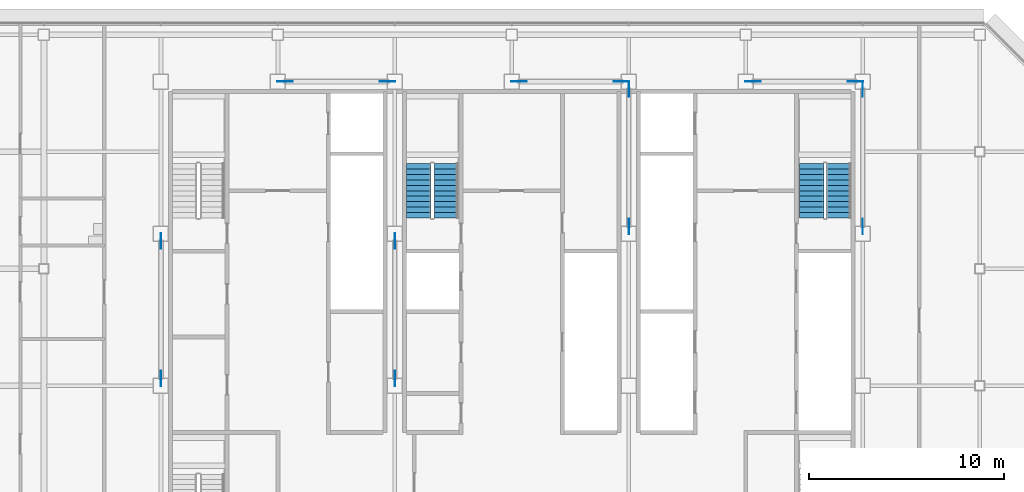
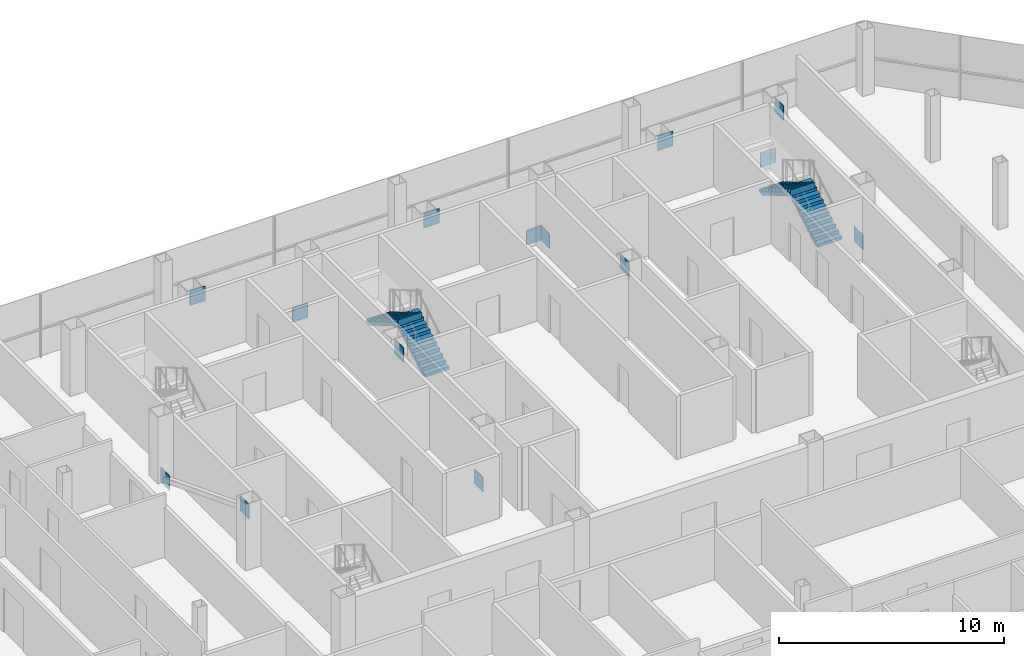
# One storey, part 26 of 28: 14 discrete accessories, 4 stair flights, 2 elements without a shape of their own.
"""IFC4 building model written with IfcOpenShell, lengths in metres."""

from ifc_helpers import new_model, si_unit, direction, frame, origin, origin_2d, place, context, subcontext, project, spatial, polyline, rectangle, outline, extrude, material, layer, layer_set, type_object, element, aggregate, save


model = new_model("IFC4")

# Units and contexts
model_context = context("Model", 3, precision=1e-05, world=origin(), true_north=direction((0.0, 1.0)))
body_context = subcontext(model_context, "Body", "Model", "MODEL_VIEW")
ifc_project = project(units=[si_unit("LENGTHUNIT", "METRE"), si_unit("AREAUNIT", "SQUARE_METRE"), si_unit("VOLUMEUNIT", "CUBIC_METRE"), si_unit("PLANEANGLEUNIT", "RADIAN"), si_unit("MASSUNIT", "GRAM", prefix="KILO")], contexts=[model_context])

# Site, building, storey
site_placement = place(None, origin())
site = spatial("IfcSite", under=ifc_project, at=site_placement, CompositionType="ELEMENT")
building_placement = place(site_placement, origin())
building = spatial("IfcBuilding", under=site, at=building_placement, Name="Sorahane Residences", CompositionType="ELEMENT")
storey_placement = place(building_placement, frame((0.0, 0.0, 250.39990234375)))
storey = spatial("IfcBuildingStorey", under=building, at=storey_placement, Name="L59", CompositionType="ELEMENT", Elevation=250.39990234375)

# Stair, stair flights
ifc_material_1 = material(Name="Concrete C40", Category="concrete")
stair_type = type_object("IfcStairType", Name="Dog-leg stair 1250 Concrete C40", PredefinedType="HALF_TURN_STAIR", material=ifc_material_1)
stair_1_placement = place(storey_placement, origin())
stair_1 = element("IfcStair", 1, at=stair_1_placement, inside=storey, type_object=stair_type, Name="L59 Stair S2", PredefinedType="HALF_TURN_STAIR")
ifc_material_2 = material(Name="Concrete C40", Category="concrete")
stair_flight_type = type_object("IfcStairFlightType", Name="Stair flight 1250 Concrete C40", PredefinedType="STRAIGHT", material=ifc_material_2)
stair_flight_1_placement = place(storey_placement, frame((40.77490234375, 38.60009765625, 0.0), z_axis=(0.0, 0.0, 1.0), x_axis=(0.0, 1.0, 0.0)))
stair_flight_1 = element("IfcStairFlight", 2, at=stair_flight_1_placement, type_object=stair_flight_type, Name="S2 flight 1", NumberOfRisers=11, NumberOfTreads=10, PredefinedType="STRAIGHT", RiserHeight=0.163636364, TreadLength=0.28, context=body_context, shape_type="SweptSolid", body=[
    extrude(outline(polyline([(-0.00146484375, 0.0), (-0.00146484375, 0.16357421875), (0.0, 0.16357421875), (0.280029296875, 0.16357421875), (0.280029296875, 0.327392578125), (0.56005859375, 0.327392578125), (0.56005859375, 0.490966796875), (0.840087890625, 0.490966796875), (0.840087890625, 0.654541015625), (1.1201171875, 0.654541015625), (1.1201171875, 0.818115234375), (1.39990234375, 0.818115234375), (1.39990234375, 0.98193359375), (1.679931640625, 0.98193359375), (1.679931640625, 1.1455078125), (1.9599609375, 1.1455078125), (1.9599609375, 1.30908203125), (2.239990234375, 1.30908203125), (2.239990234375, 1.47265625), (2.52001953125, 1.47265625), (2.52001953125, 1.636474609375), (2.800048828125, 1.636474609375), (2.800048828125, 1.800048828125), (2.800048828125, 1.462646484375), (2.59130859375, 1.3408203125), (2.3828125, 1.218994140625), (2.17431640625, 1.09716796875), (1.965576171875, 0.97509765625), (1.757080078125, 0.853271484375), (1.548583984375, 0.7314453125), (1.340087890625, 0.609375), (1.13134765625, 0.487548828125), (0.9228515625, 0.36572265625), (0.71435546875, 0.243896484375), (0.505615234375, 0.121826171875), (0.297119140625, 0.0), (-0.00146484375, 0.0)])), frame((0.0, 0.625, 0.0), z_axis=(0.0, -1.0, 0.0), x_axis=(1.0, 0.0, 0.0)), (0.0, 0.0, 1.0), 1.25),
])
stair_flight_2_placement = place(storey_placement, frame((39.375, 41.39990234375, 1.800048828125), z_axis=(0.0, 0.0, 1.0), x_axis=(0.0, -1.0, 0.0)))
stair_flight_2 = element("IfcStairFlight", 3, at=stair_flight_2_placement, type_object=stair_flight_type, Name="S2 flight 2", NumberOfRisers=11, NumberOfTreads=10, PredefinedType="STRAIGHT", RiserHeight=0.163636364, TreadLength=0.28, context=body_context, shape_type="SweptSolid", body=[
    extrude(outline(polyline([(0.0, 0.0), (0.0, 0.16357421875), (0.280029296875, 0.16357421875), (0.280029296875, 0.327392578125), (0.56005859375, 0.327392578125), (0.56005859375, 0.490966796875), (0.840087890625, 0.490966796875), (0.840087890625, 0.654541015625), (1.1201171875, 0.654541015625), (1.1201171875, 0.818115234375), (1.39990234375, 0.818115234375), (1.39990234375, 0.98193359375), (1.679931640625, 0.98193359375), (1.679931640625, 1.1455078125), (1.9599609375, 1.1455078125), (1.9599609375, 1.30908203125), (2.239990234375, 1.30908203125), (2.239990234375, 1.47265625), (2.52001953125, 1.47265625), (2.52001953125, 1.636474609375), (2.800048828125, 1.636474609375), (2.800048828125, 1.800048828125), (2.801513671875, 1.800048828125), (2.801513671875, 1.462646484375), (2.5927734375, 1.3408203125), (2.384033203125, 1.218994140625), (2.17529296875, 1.09716796875), (1.966796875, 0.97509765625), (1.758056640625, 0.853271484375), (1.54931640625, 0.7314453125), (1.340576171875, 0.609375), (1.1318359375, 0.487548828125), (0.923095703125, 0.36572265625), (0.714599609375, 0.243896484375), (0.505859375, 0.121826171875), (0.297119140625, 0.0), (0.0, 0.0)])), frame((0.0, 0.625, 0.0), z_axis=(0.0, -1.0, 0.0), x_axis=(1.0, 0.0, 0.0)), (0.0, 0.0, 1.0), 1.25),
])
aggregate(stair_1, [stair_flight_1, stair_flight_2])

stair_2_placement = place(storey_placement, origin())
stair_2 = element("IfcStair", 4, at=stair_2_placement, inside=storey, type_object=stair_type, Name="L59 Stair S3", PredefinedType="HALF_TURN_STAIR")
stair_flight_3_placement = place(storey_placement, frame((20.625, 38.60009765625, 0.0), z_axis=(0.0, 0.0, 1.0), x_axis=(0.0, 1.0, 0.0)))
stair_flight_3 = element("IfcStairFlight", 5, at=stair_flight_3_placement, type_object=stair_flight_type, Name="S3 flight 1", NumberOfRisers=11, NumberOfTreads=10, PredefinedType="STRAIGHT", RiserHeight=0.163636364, TreadLength=0.28, context=body_context, shape_type="SweptSolid", body=[
    extrude(outline(polyline([(-0.00146484375, 0.0), (-0.00146484375, 0.16357421875), (0.0, 0.16357421875), (0.280029296875, 0.16357421875), (0.280029296875, 0.327392578125), (0.56005859375, 0.327392578125), (0.56005859375, 0.490966796875), (0.840087890625, 0.490966796875), (0.840087890625, 0.654541015625), (1.1201171875, 0.654541015625), (1.1201171875, 0.818115234375), (1.39990234375, 0.818115234375), (1.39990234375, 0.98193359375), (1.679931640625, 0.98193359375), (1.679931640625, 1.1455078125), (1.9599609375, 1.1455078125), (1.9599609375, 1.30908203125), (2.239990234375, 1.30908203125), (2.239990234375, 1.47265625), (2.52001953125, 1.47265625), (2.52001953125, 1.636474609375), (2.800048828125, 1.636474609375), (2.800048828125, 1.800048828125), (2.800048828125, 1.462646484375), (2.59130859375, 1.3408203125), (2.3828125, 1.218994140625), (2.17431640625, 1.09716796875), (1.965576171875, 0.97509765625), (1.757080078125, 0.853271484375), (1.548583984375, 0.7314453125), (1.340087890625, 0.609375), (1.13134765625, 0.487548828125), (0.9228515625, 0.36572265625), (0.71435546875, 0.243896484375), (0.505615234375, 0.121826171875), (0.297119140625, 0.0), (-0.00146484375, 0.0)])), frame((0.0, 0.625, 0.0), z_axis=(0.0, -1.0, 0.0), x_axis=(1.0, 0.0, 0.0)), (0.0, 0.0, 1.0), 1.25),
])
stair_flight_4_placement = place(storey_placement, frame((19.22509765625, 41.39990234375, 1.800048828125), z_axis=(0.0, 0.0, 1.0), x_axis=(0.0, -1.0, 0.0)))
stair_flight_4 = element("IfcStairFlight", 6, at=stair_flight_4_placement, type_object=stair_flight_type, Name="S3 flight 2", NumberOfRisers=11, NumberOfTreads=10, PredefinedType="STRAIGHT", RiserHeight=0.163636364, TreadLength=0.28, context=body_context, shape_type="SweptSolid", body=[
    extrude(outline(polyline([(0.0, 0.0), (0.0, 0.16357421875), (0.280029296875, 0.16357421875), (0.280029296875, 0.327392578125), (0.56005859375, 0.327392578125), (0.56005859375, 0.490966796875), (0.840087890625, 0.490966796875), (0.840087890625, 0.654541015625), (1.1201171875, 0.654541015625), (1.1201171875, 0.818115234375), (1.39990234375, 0.818115234375), (1.39990234375, 0.98193359375), (1.679931640625, 0.98193359375), (1.679931640625, 1.1455078125), (1.9599609375, 1.1455078125), (1.9599609375, 1.30908203125), (2.239990234375, 1.30908203125), (2.239990234375, 1.47265625), (2.52001953125, 1.47265625), (2.52001953125, 1.636474609375), (2.800048828125, 1.636474609375), (2.800048828125, 1.800048828125), (2.801513671875, 1.800048828125), (2.801513671875, 1.462646484375), (2.5927734375, 1.3408203125), (2.384033203125, 1.218994140625), (2.17529296875, 1.09716796875), (1.966796875, 0.97509765625), (1.758056640625, 0.853271484375), (1.54931640625, 0.7314453125), (1.340576171875, 0.609375), (1.1318359375, 0.487548828125), (0.923095703125, 0.36572265625), (0.714599609375, 0.243896484375), (0.505859375, 0.121826171875), (0.297119140625, 0.0), (0.0, 0.0)])), frame((0.0, 0.625, 0.0), z_axis=(0.0, -1.0, 0.0), x_axis=(1.0, 0.0, 0.0)), (0.0, 0.0, 1.0), 1.25),
])
aggregate(stair_2, [stair_flight_3, stair_flight_4])

# Discrete accessories
ifc_material_3 = material(Name="Steel Q355B", Category="steel")
ifc_layer = layer(ifc_material_3, 0.02490234375)
ifc_layer_set = layer_set([ifc_layer], Name="Node plate Steel Q355B 25")
discrete_accessory_type = type_object("IfcDiscreteAccessoryType", Name="Node plate Steel Q355B 25", PredefinedType="BRACKET", material=ifc_layer_set)
for number, where, z_axis, x_axis, name in (
    (7, (6.0, 37.42724609375, -0.28564453125), (0.0, 0.0, 1.0), (0.0, 1.0, 0.0), "Node plate L59 br"),
    (8, (6.0, 30.372802734375, 2.45556640625), (0.0, 0.0, 1.0), (0.0, 1.0, 0.0), "Node plate L59 br"),
    (9, (18.0, 30.372802734375, -0.28564453125), (0.0, 0.0, 1.0), (0.0, 1.0, 0.0), "Node plate L59 br"),
    (10, (18.0, 37.42724609375, 2.45556640625), (0.0, 0.0, 1.0), (0.0, 1.0, 0.0), "Node plate L59 br"),
    (11, (30.0, 45.227294921875, -0.28564453125), (0.0, 0.0, 1.0), (0.0, 1.0, 0.0), "Node plate L59 br"),
    (12, (30.0, 38.1728515625, 2.45556640625), (0.0, 0.0, 1.0), (0.0, 1.0, 0.0), "Node plate L59 br"),
    (13, (42.0, 38.1728515625, -0.28564453125), (0.0, 0.0, 1.0), (0.0, 1.0, 0.0), "Node plate L59 br"),
    (14, (42.0, 45.227294921875, 2.45556640625), (0.0, 0.0, 1.0), (0.0, 1.0, 0.0), "Node plate L59 br"),
    (15, (17.634765625, 45.60009765625, -0.29296875), (0.0, 0.0, 1.0), (1.0, 0.0, 0.0), "Node plate L59 br"),
    (16, (29.634765625, 45.60009765625, -0.29296875), (0.0, 0.0, 1.0), (1.0, 0.0, 0.0), "Node plate L59 br"),
    (17, (41.634765625, 45.60009765625, -0.29296875), (0.0, 0.0, 1.0), (1.0, 0.0, 0.0), "Node plate L59 br"),
    (18, (12.365234375, 45.60009765625, 2.46337890625), (0.0, 0.0, 1.0), (1.0, 0.0, 0.0), "Node plate L59 br"),
    (19, (24.365234375, 45.60009765625, 2.46337890625), (0.0, 0.0, 1.0), (1.0, 0.0, 0.0), "Node plate L59 br"),
    (20, (36.365234375, 45.60009765625, 2.46337890625), (0.0, 0.0, 1.0), (1.0, 0.0, 0.0), "Node plate L59 br"),
):
    element("IfcDiscreteAccessory", number, at=place(storey_placement, frame(where, z_axis=z_axis, x_axis=x_axis)), inside=storey, type_object=discrete_accessory_type, Name=name, PredefinedType="BRACKET", context=body_context, shape_type="SweptSolid", body=[
        extrude(rectangle(XDim=0.800048828125, YDim=0.02490234375, at=origin_2d()), origin(), (0.0, 0.0, 1.0), 0.800048828125),
    ])

save(model, "model.ifc")
